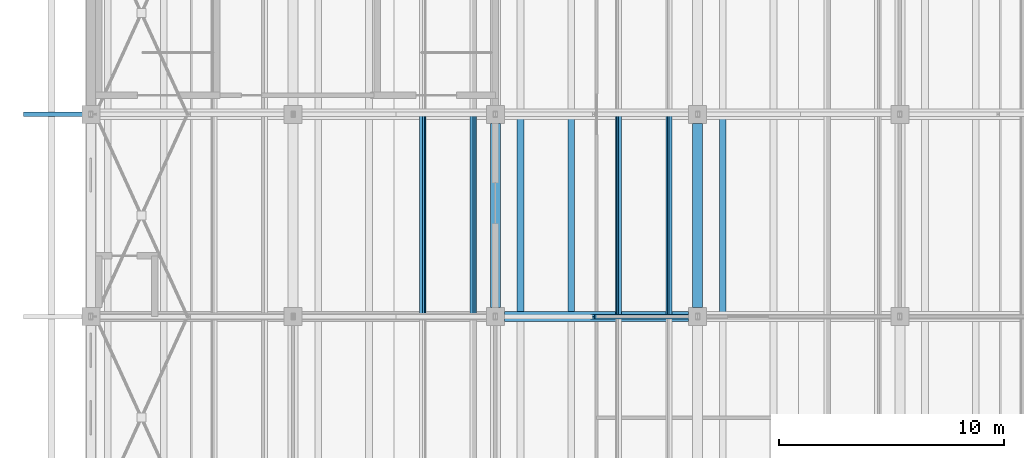
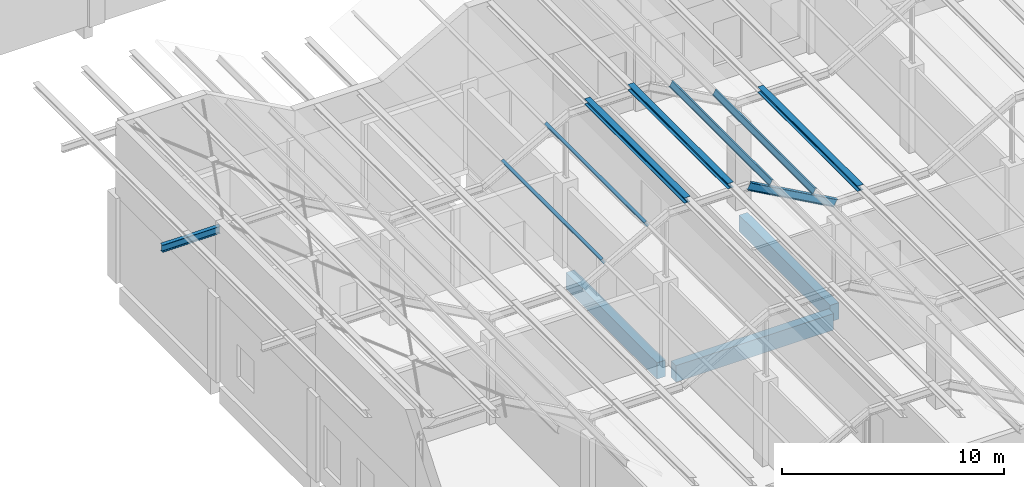
# One storey, part 57 of 437: 9 members, 3 beams.
"""IFC4 building model written with IfcOpenShell, lengths in metres."""

from ifc_helpers import new_model, si_unit, direction, frame, origin, origin_2d, place, context, subcontext, project, spatial, rectangle, i_section, extrude, material, material_profile, profile_set, type_object, element, save


model = new_model("IFC4")

# Units and contexts
model_context = context("Model", 3, precision=1e-05, world=origin(), true_north=direction((0.0, 1.0)))
body_context = subcontext(model_context, "Body", "Model", "MODEL_VIEW")
ifc_project = project(units=[si_unit("LENGTHUNIT", "METRE"), si_unit("AREAUNIT", "SQUARE_METRE"), si_unit("VOLUMEUNIT", "CUBIC_METRE"), si_unit("PLANEANGLEUNIT", "RADIAN"), si_unit("MASSUNIT", "GRAM", prefix="KILO")], contexts=[model_context])

# Site, building, storey
site_placement = place(None, origin())
site = spatial("IfcSite", under=ifc_project, at=site_placement, CompositionType="ELEMENT")
building_placement = place(site_placement, origin())
building = spatial("IfcBuilding", under=site, at=building_placement, Name="Opaline Strait Convention Centre", CompositionType="ELEMENT")
storey_placement = place(building_placement, frame((0.0, 0.0, 11.5)))
storey = spatial("IfcBuildingStorey", under=building, at=storey_placement, Name="L02", CompositionType="ELEMENT", Elevation=11.5)

# Members
ifc_material_1 = material(Name="Steel Q355B", Category="steel")
ifc_material_profile_1 = material_profile(ifc_material_1, i_section(OverallWidth=0.300048828125, OverallDepth=0.300048828125, WebThickness=0.010009765625, FlangeThickness=0.014892578125, FilletRadius=0.012939453125, at=origin_2d()), Name="HW 300x300x10x15")
ifc_profile_set_1 = profile_set([ifc_material_profile_1], Name="Steel Q355B")
member_type_1 = type_object("IfcMemberType", Name="Crest purlin HW 300x300x10x15", PredefinedType="PURLIN", material=ifc_profile_set_1)
for number, where, z_axis, x_axis, name in (
    (1, (28.125, 81.0, 8.449951171875), (0.0, 1.0, 0.0), (-1.0, 0.0, 0.0), "RU1 purlin facet 5 line 1"),
    (2, (30.375, 81.0, 8.449951171875), (0.0, 1.0, 0.0), (-1.0, 0.0, 0.0), "RU1 purlin facet 5 line 2"),
    (3, (37.125, 81.0, 5.949951171875), (0.0, 1.0, 0.0), (-1.0, 0.0, 0.0), "RU1 purlin facet 7 line 1"),
):
    element("IfcMember", number, at=place(storey_placement, frame(where, z_axis=z_axis, x_axis=x_axis)), inside=storey, type_object=member_type_1, Name=name, PredefinedType="PURLIN", context=body_context, shape_type="SweptSolid", body=[
        extrude(i_section(OverallWidth=0.300048828125, OverallDepth=0.300048828125, WebThickness=0.010009765625, FlangeThickness=0.014892578125, FilletRadius=0.012939453125, at=origin_2d()), origin(), (0.0, 0.0, 1.0), 9.0),
    ])

# Beams
ifc_material_2 = material(Name="Concrete C35", Category="concrete")
ifc_material_profile_2 = material_profile(ifc_material_2, rectangle(XDim=0.449951171875, YDim=0.89990234375, at=origin_2d()), Name="RC 450x900")
ifc_profile_set_2 = profile_set([ifc_material_profile_2], Name="Concrete C35")
beam_type = type_object("IfcBeamType", Name="RC beam 450x900 C35", PredefinedType="BEAM", material=ifc_profile_set_2)
for number, where, z_axis, x_axis, name in (
    (4, (27.39990234375, 81.0, -0.72998046875), (1.0, 0.0, 0.0), (0.0, 1.0, 0.0), "XB1 L02 27/81-36/81"),
    (5, (27.0, 81.39990234375, -0.72998046875), (0.0, 1.0, 0.0), (-1.0, 0.0, 0.0), "XB1 L02 27/81-27/90"),
    (6, (36.0, 81.39990234375, -0.72998046875), (0.0, 1.0, 0.0), (-1.0, 0.0, 0.0), "XB1 L02 36/81-36/90"),
):
    element("IfcBeam", number, at=place(storey_placement, frame(where, z_axis=z_axis, x_axis=x_axis)), inside=storey, type_object=beam_type, Name=name, PredefinedType="BEAM", context=body_context, shape_type="SweptSolid", body=[
        extrude(rectangle(XDim=0.449951171875, YDim=0.89990234375, at=origin_2d()), origin(), (0.0, 0.0, 1.0), 8.2001953125),
    ])

# Members
ifc_material_profile_3 = material_profile(ifc_material_1, i_section(OverallWidth=0.14990234375, OverallDepth=0.300048828125, WebThickness=0.006591796875, FlangeThickness=0.009033203125, FilletRadius=0.012939453125, at=origin_2d()), Name="HN 300x150x6.5x9")
ifc_profile_set_3 = profile_set([ifc_material_profile_3], Name="Steel Q355B")
member_type_2 = type_object("IfcMemberType", Name="Roof purlin HN 300x150x6.5x9", PredefinedType="PURLIN", material=ifc_profile_set_3)
for number, where, z_axis, x_axis, name in (
    (7, (23.770751953125, 81.0, 6.61279296875), (0.0, 1.0, 0.0), (-0.874157310866, 0.0, -0.485642868639), "RU1 purlin facet 4 line 1"),
    (8, (26.020751953125, 81.0, 7.86279296875), (0.0, 1.0, 0.0), (-0.874157310866, 0.0, -0.485642868639), "RU1 purlin facet 4 line 2"),
    (9, (32.479248046875, 81.0, 7.86279296875), (0.0, 1.0, 0.0), (-0.874157310866, 0.0, 0.485642868639), "RU1 purlin facet 6 line 1"),
    (10, (34.729248046875, 81.0, 6.61279296875), (0.0, 1.0, 0.0), (-0.874157310866, 0.0, 0.485642868639), "RU1 purlin facet 6 line 2"),
):
    element("IfcMember", number, at=place(storey_placement, frame(where, z_axis=z_axis, x_axis=x_axis)), inside=storey, type_object=member_type_2, Name=name, PredefinedType="PURLIN", context=body_context, shape_type="SweptSolid", body=[
        extrude(i_section(OverallWidth=0.14990234375, OverallDepth=0.300048828125, WebThickness=0.006591796875, FlangeThickness=0.009033203125, FilletRadius=0.012939453125, at=origin_2d()), origin(), (0.0, 0.0, 1.0), 9.0),
    ])
ifc_material_profile_4 = material_profile(ifc_material_1, i_section(OverallWidth=0.199951171875, OverallDepth=0.39990234375, WebThickness=0.008056640625, FlangeThickness=0.012939453125, FilletRadius=0.012939453125, at=origin_2d()), Name="HN 400x200x8x13")
ifc_profile_set_4 = profile_set([ifc_material_profile_4], Name="Steel Q355B")
member_type_3 = type_object("IfcMemberType", Name="Roof rafter HN 400x200x8x13", PredefinedType="RAFTER", material=ifc_profile_set_4)
member_1_placement = place(storey_placement, frame((31.33154296875, 81.0, 8.10009765625), z_axis=(0.874157276122, 0.0, -0.485642931179), x_axis=(0.0, 1.0, 0.0)))
element("IfcMember", 11, at=member_1_placement, inside=storey, type_object=member_type_3, Name="RR1 rafter line 9 facet 7", PredefinedType="RAFTER", context=body_context, shape_type="SweptSolid", body=[
    extrude(i_section(OverallWidth=0.199951171875, OverallDepth=0.39990234375, WebThickness=0.008056640625, FlangeThickness=0.012939453125, FilletRadius=0.012939453125, at=origin_2d()), origin(), (0.0, 0.0, 1.0), 5.147705078125),
])
member_2_placement = place(storey_placement, frame((6.0, 90.0, 8.10009765625), z_axis=(1.0, 0.0, 0.0), x_axis=(0.0, 1.0, 0.0)))
element("IfcMember", 12, at=member_2_placement, inside=storey, type_object=member_type_3, Name="RR1 rafter line 10 facet 1", PredefinedType="RAFTER", context=body_context, shape_type="SweptSolid", body=[
    extrude(i_section(OverallWidth=0.199951171875, OverallDepth=0.39990234375, WebThickness=0.008056640625, FlangeThickness=0.012939453125, FilletRadius=0.012939453125, at=origin_2d()), origin(), (0.0, 0.0, 1.0), 3.0),
])

save(model, "model.ifc")
